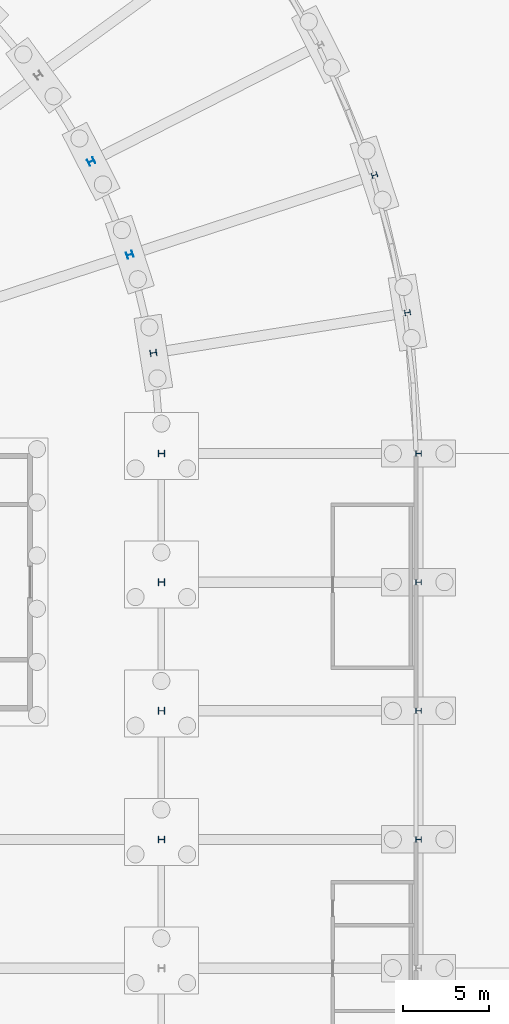
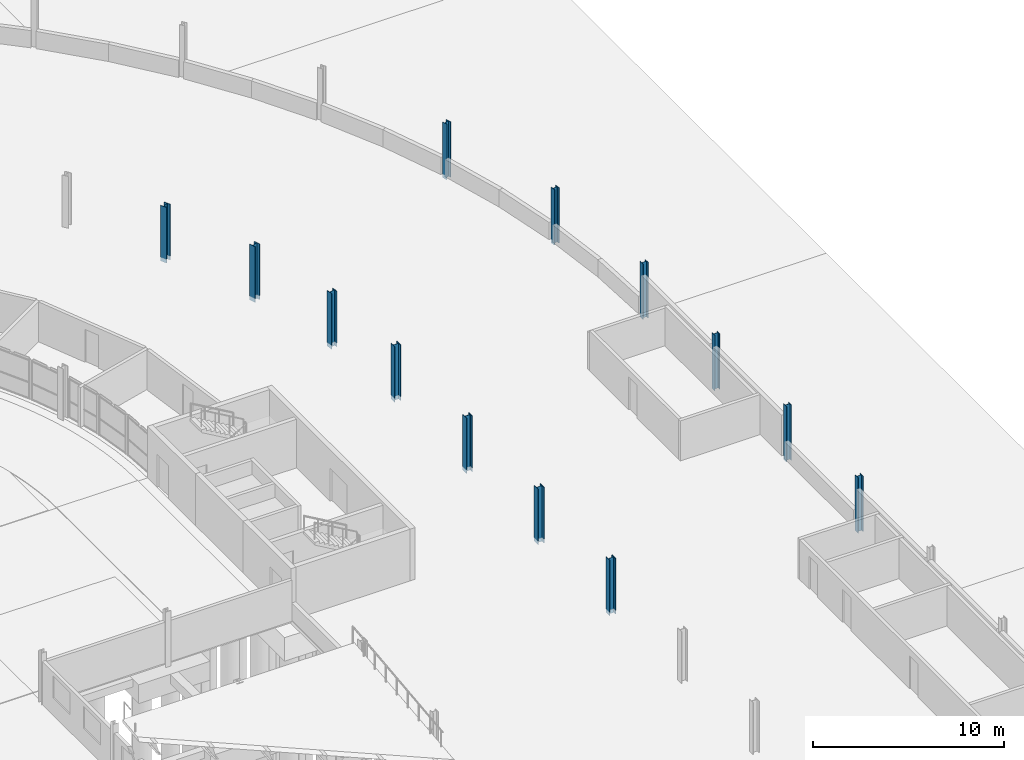
# One storey, part 35 of 130: 13 columns.
"""IFC4 building model written with IfcOpenShell, lengths in metres."""

from ifc_helpers import new_model, si_unit, direction, frame, origin, origin_2d, place, context, subcontext, project, spatial, i_section, extrude, material, material_profile, profile_set, type_object, element, save


model = new_model("IFC4")

# Units and contexts
model_context = context("Model", 3, precision=1e-05, world=origin(), true_north=direction((0.0, 1.0)))
body_context = subcontext(model_context, "Body", "Model", "MODEL_VIEW")
ifc_project = project(units=[si_unit("LENGTHUNIT", "METRE"), si_unit("AREAUNIT", "SQUARE_METRE"), si_unit("VOLUMEUNIT", "CUBIC_METRE"), si_unit("PLANEANGLEUNIT", "RADIAN"), si_unit("MASSUNIT", "GRAM", prefix="KILO")], contexts=[model_context])

# Site, building, storey
site_placement = place(None, origin())
site = spatial("IfcSite", under=ifc_project, at=site_placement, CompositionType="ELEMENT")
building_placement = place(site_placement, origin())
building = spatial("IfcBuilding", under=site, at=building_placement, Name="Parallax Yard Mobility Hub", CompositionType="ELEMENT")
storey_placement = place(building_placement, origin())
storey = spatial("IfcBuildingStorey", under=building, at=storey_placement, Name="L00", CompositionType="ELEMENT", Elevation=0.0)

# Columns
ifc_material = material(Name="Steel ASTM A992", Category="steel")
ifc_material_profile_1 = material_profile(ifc_material, i_section(OverallWidth=0.306884765625, OverallDepth=0.318115234375, WebThickness=0.01318359375, FlangeThickness=0.0205078125, FilletRadius=0.01513671875, at=origin_2d()), Name="W310x129")
ifc_profile_set_1 = profile_set([ifc_material_profile_1], Name="Steel ASTM A992")
column_type_1 = type_object("IfcColumnType", Name="W310x129 column", PredefinedType="COLUMN", material=ifc_profile_set_1)
for number, where, z_axis, x_axis, name in (
    (1, (225.0, 90.0, -0.25), (0.0, 0.0, 1.0), (0.0, 1.0, 0.0), "Column C3 level L00 at N/31 of ramped parking decks"),
    (2, (225.0, 82.5, -0.25), (0.0, 0.0, 1.0), (0.0, 1.0, 0.0), "Column C3 level L00 at M/31 of ramped parking decks"),
    (3, (225.0, 75.0, -0.25), (0.0, 0.0, 1.0), (0.0, 1.0, 0.0), "Column C3 level L00 at L/31 of ramped parking decks"),
    (4, (225.0, 67.5, -0.25), (0.0, 0.0, 1.0), (0.0, 1.0, 0.0), "Column C3 level L00 at K/31 of ramped parking decks"),
    (5, (222.430419921875, 106.223388671875, -0.25), (0.0, 0.0, 1.0), (-0.309016994375, 0.951056516295, 0.0), "Column C3 level L00 at RC/R8 of ramped parking decks"),
    (6, (224.353515625, 98.212890625, -0.25), (0.0, 0.0, 1.0), (-0.15643446504, 0.987688340595, 0.0), "Column C3 level L00 at RC/R9 of ramped parking decks"),
):
    element("IfcColumn", number, at=place(storey_placement, frame(where, z_axis=z_axis, x_axis=x_axis)), inside=storey, type_object=column_type_1, Name=name, PredefinedType="COLUMN", context=body_context, shape_type="SweptSolid", body=[
        extrude(i_section(OverallWidth=0.306884765625, OverallDepth=0.318115234375, WebThickness=0.01318359375, FlangeThickness=0.0205078125, FilletRadius=0.01513671875, at=origin_2d()), origin(), (0.0, 0.0, 1.0), 3.550048828125),
    ])
ifc_material_profile_2 = material_profile(ifc_material, i_section(OverallWidth=0.373046875, OverallDepth=0.373046875, WebThickness=0.016357421875, FlangeThickness=0.026123046875, FilletRadius=0.01513671875, at=origin_2d()), Name="W360x196")
ifc_profile_set_2 = profile_set([ifc_material_profile_2], Name="Steel ASTM A992")
column_type_2 = type_object("IfcColumnType", Name="W360x196 column", PredefinedType="COLUMN", material=ifc_profile_set_2)
for number, where, z_axis, x_axis, name in (
    (7, (205.91259765625, 107.024658203125, -0.25), (0.0, 0.0, 1.0), (-0.45399049974, 0.891006524188, 0.0), "Column C8 level L00 at RB/R7 of ramped parking decks"),
    (8, (208.16455078125, 101.588134765625, -0.25), (0.0, 0.0, 1.0), (-0.309016994375, 0.951056516295, 0.0), "Column C8 level L00 at RB/R8 of ramped parking decks"),
    (9, (209.538330078125, 95.8662109375, -0.25), (0.0, 0.0, 1.0), (-0.15643446504, 0.987688340595, 0.0), "Column C8 level L00 at RB/R9 of ramped parking decks"),
):
    element("IfcColumn", number, at=place(storey_placement, frame(where, z_axis=z_axis, x_axis=x_axis)), inside=storey, type_object=column_type_2, Name=name, PredefinedType="COLUMN", context=body_context, shape_type="SweptSolid", body=[
        extrude(i_section(OverallWidth=0.373046875, OverallDepth=0.373046875, WebThickness=0.016357421875, FlangeThickness=0.026123046875, FilletRadius=0.01513671875, at=origin_2d()), origin(), (0.0, 0.0, 1.0), 3.550048828125),
    ])
ifc_material_profile_3 = material_profile(ifc_material, i_section(OverallWidth=0.39599609375, OverallDepth=0.381103515625, WebThickness=0.018798828125, FlangeThickness=0.0302734375, FilletRadius=0.015380859375, at=origin_2d()), Name="W360x237")
ifc_profile_set_3 = profile_set([ifc_material_profile_3], Name="Steel ASTM A992")
column_type_3 = type_object("IfcColumnType", Name="W360x237 column", PredefinedType="COLUMN", material=ifc_profile_set_3)
for number, where, z_axis, x_axis, name in (
    (10, (210.0, 90.0, -0.25), (0.0, 0.0, 1.0), (0.0, 1.0, 0.0), "Column C10 level L00 at N/29 of ramped parking decks"),
    (11, (210.0, 82.5, -0.25), (0.0, 0.0, 1.0), (0.0, 1.0, 0.0), "Column C10 level L00 at M/29 of ramped parking decks"),
    (12, (210.0, 75.0, -0.25), (0.0, 0.0, 1.0), (0.0, 1.0, 0.0), "Column C10 level L00 at L/29 of ramped parking decks"),
    (13, (210.0, 67.5, -0.25), (0.0, 0.0, 1.0), (0.0, 1.0, 0.0), "Column C10 level L00 at K/29 of ramped parking decks"),
):
    element("IfcColumn", number, at=place(storey_placement, frame(where, z_axis=z_axis, x_axis=x_axis)), inside=storey, type_object=column_type_3, Name=name, PredefinedType="COLUMN", context=body_context, shape_type="SweptSolid", body=[
        extrude(i_section(OverallWidth=0.39599609375, OverallDepth=0.381103515625, WebThickness=0.018798828125, FlangeThickness=0.0302734375, FilletRadius=0.015380859375, at=origin_2d()), origin(), (0.0, 0.0, 1.0), 3.550048828125),
    ])

save(model, "model.ifc")
